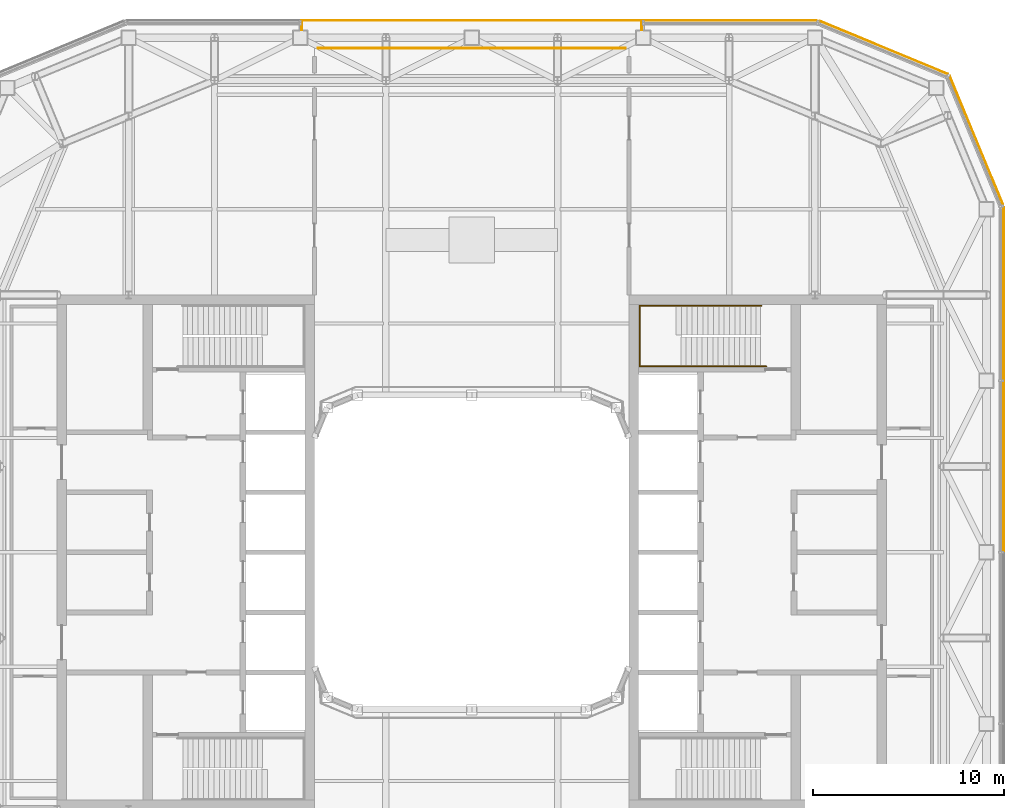
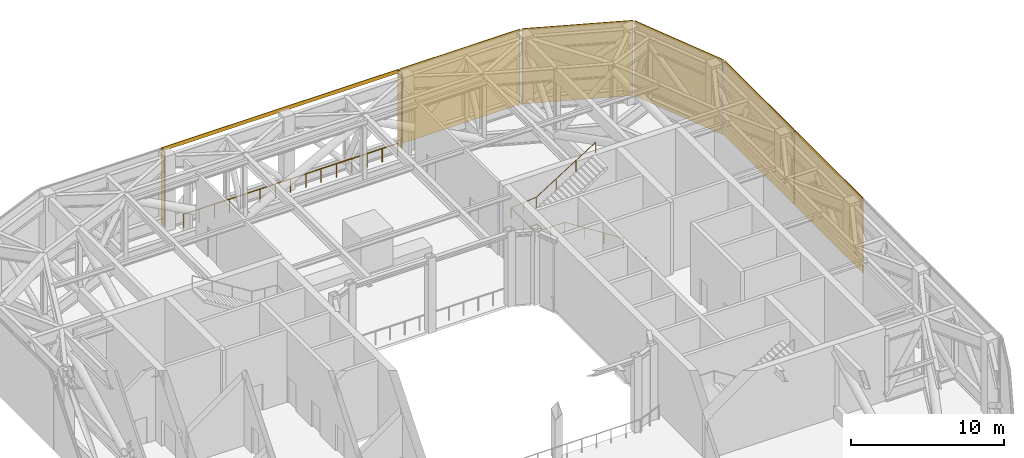
# One storey, part 20 of 21: 8 coverings, 2 railings.
"""IFC4 building model written with IfcOpenShell, lengths in metres."""

import ifcopenshell
import ifcopenshell.guid

model = None  # the IFC model being written
_history = None  # IfcOwnerHistory: only IFC2X3 demands one
_inside = {}  # id of a spatial element -> (the spatial element, [elements in it])
_under = {}  # id of a project, library or spatial element -> (it, [spatial elements below it])
_declared = {}  # id of a project -> (the project, [libraries it declares])
_typed = {}  # id of a type object -> (the type object, [elements of that type])
_made_of = {}  # id of a material, layer set ... -> (it, [elements and type objects made of it])


def new_model(schema):
    """Start an empty IFC model of exactly this schema.

    Asked for "IFC4X3", IfcOpenShell would pick the latest addendum, in which some entities
    have other attributes; the version numbers below select the first issue.
    IFC2X3 requires an IfcOwnerHistory on every rooted entity: one is made here for all.
    """
    global model, _history
    if schema == "IFC4X3":
        model = ifcopenshell.file(schema_version=(4, 3, 0, 0))
    else:
        model = ifcopenshell.file(schema=schema)
    _inside.clear()
    _under.clear()
    _declared.clear()
    _typed.clear()
    _made_of.clear()
    _history = None
    if model.schema == "IFC2X3":
        org = make("IfcOrganization", Name="unknown")
        user = make(
            "IfcPersonAndOrganization",
            ThePerson=make("IfcPerson", FamilyName="unknown"),
            TheOrganization=org,
        )
        app = make(
            "IfcApplication",
            ApplicationDeveloper=org,
            Version="unknown",
            ApplicationFullName="unknown",
            ApplicationIdentifier="unknown",
        )
        _history = make(
            "IfcOwnerHistory",
            OwningUser=user,
            OwningApplication=app,
            ChangeAction="ADDED",
            CreationDate=0,
        )
    return model


def make(cls, **values):
    """One entity of the class cls with the attributes given. An attribute that is None is left unset."""
    return model.create_entity(
        cls, **{name: value for name, value in values.items() if value is not None}
    )


def rooted(cls, **values):
    """An entity with a GlobalId (a new one), such as an element, a storey or a relation."""
    return make(cls, GlobalId=ifcopenshell.guid.new(), OwnerHistory=_history, **values)


def si_unit(unit_type, name, prefix=None):
    """IfcSIUnit, for example si_unit("LENGTHUNIT", "METRE", prefix="MILLI")."""
    return make("IfcSIUnit", UnitType=unit_type, Prefix=prefix, Name=name)


def assignment(units):
    """IfcUnitAssignment: the units of a project."""
    return None if units is None else make("IfcUnitAssignment", Units=units)


def point(xyz):
    """IfcCartesianPoint."""
    return None if xyz is None else make("IfcCartesianPoint", Coordinates=xyz)


def direction(xyz):
    """IfcDirection."""
    return None if xyz is None else make("IfcDirection", DirectionRatios=xyz)


def frame(location, z_axis=None, x_axis=None):
    """IfcAxis2Placement3D, a coordinate frame: its origin and axes. An axis left out is left unset."""
    return make(
        "IfcAxis2Placement3D",
        Location=point(location),
        Axis=direction(z_axis),
        RefDirection=direction(x_axis),
    )


def frame_2d(location, x_axis=None):
    """IfcAxis2Placement2D, a coordinate frame in the plane: its origin and x axis."""
    return make(
        "IfcAxis2Placement2D", Location=point(location), RefDirection=direction(x_axis)
    )


def origin():
    """The frame at (0, 0, 0) with its axes left unset."""
    return frame((0.0, 0.0, 0.0))


def origin_2d():
    """The frame at (0, 0) in the plane with its x axis left unset."""
    return frame_2d((0.0, 0.0))


def place(relative_to, where):
    """IfcLocalPlacement: puts the frame where relative to a parent placement (None: the world)."""
    return make(
        "IfcLocalPlacement", PlacementRelTo=relative_to, RelativePlacement=where
    )


def context(
    kind, dimensions, precision=None, world=None, true_north=None, identifier=None
):
    """IfcGeometricRepresentationContext, for example the 3D "Model" context."""
    return make(
        "IfcGeometricRepresentationContext",
        ContextIdentifier=identifier,
        ContextType=kind,
        CoordinateSpaceDimension=dimensions,
        Precision=precision,
        WorldCoordinateSystem=world,
        TrueNorth=true_north,
    )


def subcontext(parent, identifier, kind, view, scale=None):
    """IfcGeometricRepresentationSubContext, for example "Body" below "Model"."""
    return make(
        "IfcGeometricRepresentationSubContext",
        ContextIdentifier=identifier,
        ContextType=kind,
        ParentContext=parent,
        TargetScale=scale,
        TargetView=view,
    )


def project(units=None, contexts=None):
    """IfcProject with its units and contexts."""
    return rooted(
        "IfcProject",
        Name="project",
        RepresentationContexts=contexts,
        UnitsInContext=assignment(units),
    )


def spatial(cls, under=None, at=None, **own):
    """A site, building, storey or space (cls), placed at a placement, below another one or the project."""
    s = rooted(cls, ObjectPlacement=at, **own)
    if under is not None:
        _under.setdefault(under.id(), (under, []))[1].append(s)
    return s


def profile(cls, at=None, kind="AREA", **sizes):
    """A parametric profile (cls). Its sizes go by their IFC names, for example OverallWidth=200.0."""
    return make(cls, ProfileType=kind, Position=at, **sizes)


def rectangle(**sizes):
    """IfcRectangleProfileDef."""
    return profile("IfcRectangleProfileDef", **sizes)


def circle(**sizes):
    """IfcCircleProfileDef."""
    return profile("IfcCircleProfileDef", **sizes)


def extrude(swept, where, along, depth):
    """IfcExtrudedAreaSolid: the profile swept, set in the frame where, extruded along a direction by depth."""
    return make(
        "IfcExtrudedAreaSolid",
        SweptArea=swept,
        Position=where,
        ExtrudedDirection=direction(along),
        Depth=depth,
    )


def shape(context_of_items, identifier, shape_type, items):
    """IfcShapeRepresentation: the items that make up one representation, for example the "Body"."""
    return make(
        "IfcShapeRepresentation",
        ContextOfItems=context_of_items,
        RepresentationIdentifier=identifier,
        RepresentationType=shape_type,
        Items=items,
    )


def material(Name=None, Category=None):
    """IfcMaterial."""
    return make("IfcMaterial", Name=Name, Category=Category)


def layer(
    of_material, thickness, ventilated=None, Name=None, Category=None, Priority=None
):
    """IfcMaterialLayer: one layer of a wall or slab, of a material (None: an air gap)."""
    return make(
        "IfcMaterialLayer",
        Material=of_material,
        LayerThickness=thickness,
        IsVentilated=ventilated,
        Name=Name,
        Category=Category,
        Priority=Priority,
    )


def layer_set(layers, Name=None):
    """IfcMaterialLayerSet."""
    return make("IfcMaterialLayerSet", MaterialLayers=layers, LayerSetName=Name)


def made_of(thing, what):
    """Note that an element or type object is made of a material, layer set ...; save() writes the relation."""
    if what is not None:
        _made_of.setdefault(what.id(), (what, []))[1].append(thing)
    return thing


def type_object(cls, material=None, **own):
    """A type object (cls), such as IfcWallType, which elements share."""
    return made_of(rooted(cls, **own), material)


def element(
    cls,
    number,
    at=None,
    inside=None,
    cuts=None,
    type_object=None,
    material=None,
    context=None,
    identifier="Body",
    shape_type=None,
    held_by="IfcProductDefinitionShape",
    body=None,
    shapes=None,
    **own,
):
    """One element of the class cls, such as IfcWall. Its Tag is "e" and its number.

    at: its placement. inside: the storey or other place that contains it. cuts: it is an
    opening in that element (IfcRelVoidsElement). A single representation is given by context,
    identifier, shape_type and body (its items); several are given by shapes. held_by: the class
    of the entity that holds the representations. save() writes the other relations.
    """
    e = rooted(cls, Tag="e%d" % number, ObjectPlacement=at, **own)
    if body is not None:
        shapes = [shape(context, identifier, shape_type, body)]
    if shapes is not None:
        e.Representation = make(held_by, Representations=shapes)
    if inside is not None:
        _inside.setdefault(inside.id(), (inside, []))[1].append(e)
    if cuts is not None:
        rooted(
            "IfcRelVoidsElement", RelatingBuildingElement=cuts, RelatedOpeningElement=e
        )
    if type_object is not None:
        _typed.setdefault(type_object.id(), (type_object, []))[1].append(e)
    return made_of(e, material)


def aggregate(whole, parts):
    """IfcRelAggregates: a whole, such as a stair, and the parts it consists of."""
    return rooted("IfcRelAggregates", RelatingObject=whole, RelatedObjects=parts)


def save(model, path):
    """Write the relations noted so far, then the file.

    IfcRelAggregates (storeys below a building ...), IfcRelContainedInSpatialStructure (elements
    in a storey), IfcRelDefinesByType, IfcRelAssociatesMaterial and IfcRelDeclares: one each for
    every whole, place, type object, material and project.
    """
    for whole, parts in _under.values():
        aggregate(whole, parts)
    for where, things in _inside.values():
        rooted(
            "IfcRelContainedInSpatialStructure",
            RelatedElements=things,
            RelatingStructure=where,
        )
    for kind, things in _typed.values():
        rooted("IfcRelDefinesByType", RelatedObjects=things, RelatingType=kind)
    for what, things in _made_of.values():
        rooted("IfcRelAssociatesMaterial", RelatedObjects=things, RelatingMaterial=what)
    for by, libraries in _declared.values():
        rooted("IfcRelDeclares", RelatingContext=by, RelatedDefinitions=libraries)
    model.write(path)


model = new_model("IFC4")

# Units and contexts
model_context = context("Model", 3, precision=1e-05, world=origin(), true_north=direction((0.0, 1.0)))
body_context = subcontext(model_context, "Body", "Model", "MODEL_VIEW")
ifc_project = project(units=[si_unit("LENGTHUNIT", "METRE"), si_unit("AREAUNIT", "SQUARE_METRE"), si_unit("VOLUMEUNIT", "CUBIC_METRE"), si_unit("PLANEANGLEUNIT", "RADIAN"), si_unit("MASSUNIT", "GRAM", prefix="KILO")], contexts=[model_context])

# Site, building, storey
site_placement = place(None, origin())
site = spatial("IfcSite", under=ifc_project, at=site_placement, CompositionType="ELEMENT")
building_placement = place(site_placement, origin())
building = spatial("IfcBuilding", under=site, at=building_placement, Name="Siwar Civic Tower", CompositionType="ELEMENT")
storey_placement = place(building_placement, frame((0.0, 0.0, 278.199951171875)))
storey = spatial("IfcBuildingStorey", under=building, at=storey_placement, Name="L60", CompositionType="ELEMENT", Elevation=278.199951171875)

# Railings
ifc_material_1 = material(Name="Stainless steel", Category="steel")
railing_type_1 = type_object("IfcRailingType", Name="CORE-STAIR-HANDRAIL", PredefinedType="HANDRAIL", material=ifc_material_1)
railing_1_placement = place(storey_placement, frame((15.449951171875, 9.758056640625, 0.176513671875)))
element("IfcRailing", 1, at=railing_1_placement, inside=storey, type_object=railing_type_1, Name="Stair handrail ST3", PredefinedType="HANDRAIL", context=body_context, shape_type="SweptSolid", body=[
    extrude(circle(Radius=0.02001953125, at=origin_2d()), frame((0.0, 0.0, 0.8798828125), z_axis=(-0.843278542751, 0.0, 0.537476789579), x_axis=(0.0, -1.0, 0.0)), (0.0, 0.0, 1.0), 5.253173828125),
    extrude(circle(Radius=0.02001953125, at=origin_2d()), frame((-4.429931640625, 0.0, 3.703369140625), z_axis=(-1.0, 0.0, 0.0), x_axis=(0.0, -1.0, 0.0)), (0.0, 0.0, 1.0), 2.2119140625),
    extrude(circle(Radius=0.02001953125, at=origin_2d()), frame((-6.641845703125, 0.0, 3.703369140625), z_axis=(0.0, 1.0, 0.0), x_axis=(-1.0, 0.0, 0.0)), (0.0, 0.0, 1.0), 3.183837890625),
    extrude(circle(Radius=0.02001953125, at=origin_2d()), frame((-6.641845703125, 3.183837890625, 3.703369140625), z_axis=(0.995765067396, 0.0, 0.091934381781), x_axis=(0.0, 1.0, 0.0)), (0.0, 0.0, 1.0), 1.919921875),
    extrude(circle(Radius=0.02001953125, at=origin_2d()), frame((-4.72998046875, 3.183837890625, 3.8798828125), z_axis=(0.845997938375, 0.0, 0.533186166611), x_axis=(0.0, 1.0, 0.0)), (0.0, 0.0, 1.0), 5.29541015625),
    extrude(circle(Radius=0.02001953125, at=origin_2d()), origin(), (0.0, 0.0, 1.0), 0.85986328125),
    extrude(circle(Radius=0.02001953125, at=origin_2d()), frame((-1.4765625, 0.0, 0.941162109375)), (0.0, 0.0, 1.0), 0.85986328125),
    extrude(circle(Radius=0.02001953125, at=origin_2d()), frame((-2.953369140625, 0.0, 1.88232421875)), (0.0, 0.0, 1.0), 0.85986328125),
    extrude(circle(Radius=0.02001953125, at=origin_2d()), frame((-4.429931640625, 0.0, 2.823486328125)), (0.0, 0.0, 1.0), 0.85986328125),
    extrude(circle(Radius=0.02001953125, at=origin_2d()), frame((-5.535888671875, 0.0, 2.823486328125)), (0.0, 0.0, 1.0), 0.85986328125),
    extrude(circle(Radius=0.02001953125, at=origin_2d()), frame((-6.641845703125, 0.0, 2.823486328125)), (0.0, 0.0, 1.0), 0.85986328125),
    extrude(circle(Radius=0.02001953125, at=origin_2d()), frame((-6.641845703125, 1.591796875, 2.823486328125)), (0.0, 0.0, 1.0), 0.85986328125),
    extrude(circle(Radius=0.02001953125, at=origin_2d()), frame((-6.641845703125, 3.183837890625, 2.823486328125)), (0.0, 0.0, 1.0), 0.85986328125),
    extrude(circle(Radius=0.02001953125, at=origin_2d()), frame((-5.68603515625, 3.183837890625, 2.91162109375)), (0.0, 0.0, 1.0), 0.85986328125),
    extrude(circle(Radius=0.02001953125, at=origin_2d()), frame((-4.72998046875, 3.183837890625, 3.0)), (0.0, 0.0, 1.0), 0.85986328125),
    extrude(circle(Radius=0.02001953125, at=origin_2d()), frame((-3.236572265625, 3.183837890625, 3.941162109375)), (0.0, 0.0, 1.0), 0.85986328125),
    extrude(circle(Radius=0.02001953125, at=origin_2d()), frame((-1.743408203125, 3.183837890625, 4.88232421875)), (0.0, 0.0, 1.0), 0.85986328125),
    extrude(circle(Radius=0.02001953125, at=origin_2d()), frame((-0.25, 3.183837890625, 5.823486328125)), (0.0, 0.0, 1.0), 0.85986328125),
])
ifc_material_2 = material(Name="Stainless steel 316", Category="steel")
railing_type_2 = type_object("IfcRailingType", Name="ENV-GUARD-ROOF", PredefinedType="GUARDRAIL", material=ifc_material_2)
railing_2_placement = place(storey_placement, frame((-8.050048828125, 26.449951171875, 0.0)))
element("IfcRailing", 2, at=railing_2_placement, inside=storey, type_object=railing_type_2, Name="Sky portal guard N outer edge", PredefinedType="GUARDRAIL", context=body_context, shape_type="SweptSolid", body=[
    extrude(circle(Radius=0.02392578125, at=origin_2d()), frame((0.0, 0.0, 1.076171875), z_axis=(1.0, 0.0, 0.0), x_axis=(0.0, 1.0, 0.0)), (0.0, 0.0, 1.0), 16.10009765625),
    extrude(circle(Radius=0.02099609375, at=origin_2d()), origin(), (0.0, 0.0, 1.0), 1.052001953125),
    extrude(circle(Radius=0.02099609375, at=origin_2d()), frame((1.14990234375, 0.0, 0.0)), (0.0, 0.0, 1.0), 1.052001953125),
    extrude(circle(Radius=0.02099609375, at=origin_2d()), frame((2.300048828125, 0.0, 0.0)), (0.0, 0.0, 1.0), 1.052001953125),
    extrude(circle(Radius=0.02099609375, at=origin_2d()), frame((3.449951171875, 0.0, 0.0)), (0.0, 0.0, 1.0), 1.052001953125),
    extrude(circle(Radius=0.02099609375, at=origin_2d()), frame((4.60009765625, 0.0, 0.0)), (0.0, 0.0, 1.0), 1.052001953125),
    extrude(circle(Radius=0.02099609375, at=origin_2d()), frame((5.75, 0.0, 0.0)), (0.0, 0.0, 1.0), 1.052001953125),
    extrude(circle(Radius=0.02099609375, at=origin_2d()), frame((6.900146484375, 0.0, 0.0)), (0.0, 0.0, 1.0), 1.052001953125),
    extrude(circle(Radius=0.02099609375, at=origin_2d()), frame((8.050048828125, 0.0, 0.0)), (0.0, 0.0, 1.0), 1.052001953125),
    extrude(circle(Radius=0.02099609375, at=origin_2d()), frame((9.199951171875, 0.0, 0.0)), (0.0, 0.0, 1.0), 1.052001953125),
    extrude(circle(Radius=0.02099609375, at=origin_2d()), frame((10.35009765625, 0.0, 0.0)), (0.0, 0.0, 1.0), 1.052001953125),
    extrude(circle(Radius=0.02099609375, at=origin_2d()), frame((11.5, 0.0, 0.0)), (0.0, 0.0, 1.0), 1.052001953125),
    extrude(circle(Radius=0.02099609375, at=origin_2d()), frame((12.650146484375, 0.0, 0.0)), (0.0, 0.0, 1.0), 1.052001953125),
    extrude(circle(Radius=0.02099609375, at=origin_2d()), frame((13.800048828125, 0.0, 0.0)), (0.0, 0.0, 1.0), 1.052001953125),
    extrude(circle(Radius=0.02099609375, at=origin_2d()), frame((14.9501953125, 0.0, 0.0)), (0.0, 0.0, 1.0), 1.052001953125),
    extrude(circle(Radius=0.02099609375, at=origin_2d()), frame((16.10009765625, 0.0, 0.0)), (0.0, 0.0, 1.0), 1.052001953125),
])

# Coverings
ifc_material_3 = material(Name="Perforated aluminium cassette, pale metal", Category="aluminium")
ifc_layer_1 = layer(ifc_material_3, 0.0400390625)
ifc_layer_set_1 = layer_set([ifc_layer_1], Name="Perforated aluminium cassette, pale metal")
covering_type_1 = type_object("IfcCoveringType", Name="ENV-OUTER SKIN OS-1", PredefinedType="CLADDING", material=ifc_layer_set_1)
covering_1_placement = place(storey_placement, frame((27.89990234375, 4.5, -0.199951171875), z_axis=(0.0, 0.0, 1.0), x_axis=(0.0, 1.0, 0.0)))
element("IfcCovering", 3, at=covering_1_placement, inside=storey, type_object=covering_type_1, Name="OUTER SKIN OS-1 E 3", PredefinedType="CLADDING", context=body_context, shape_type="SweptSolid", body=[
    extrude(rectangle(XDim=8.89990234375, YDim=0.0400390625, at=origin_2d()), origin(), (0.0, 0.0, 1.0), 6.0),
])
covering_2_placement = place(storey_placement, frame((27.89990234375, 13.57958984375, -0.199951171875), z_axis=(0.0, 0.0, 1.0), x_axis=(0.0, 1.0, 0.0)))
element("IfcCovering", 4, at=covering_2_placement, inside=storey, type_object=covering_type_1, Name="OUTER SKIN OS-1 E 4", PredefinedType="CLADDING", context=body_context, shape_type="SweptSolid", body=[
    extrude(rectangle(XDim=9.05908203125, YDim=0.0400390625, at=origin_2d()), origin(), (0.0, 0.0, 1.0), 6.0),
])
for number, where, z_axis, x_axis, name in (
    (5, (26.476318359375, 21.615966796875, -0.199951171875), (0.0, 0.0, 1.0), (-0.382683432365, 0.923879532511, 0.0), "OUTER SKIN OS-1 NE1 1"),
    (6, (21.615966796875, 26.476318359375, -0.199951171875), (0.0, 0.0, 1.0), (-0.923879532511, 0.382683432365, 0.0), "OUTER SKIN OS-1 NE2 1"),
):
    element("IfcCovering", number, at=place(storey_placement, frame(where, z_axis=z_axis, x_axis=x_axis)), inside=storey, type_object=covering_type_1, Name=name, PredefinedType="CLADDING", context=body_context, shape_type="SweptSolid", body=[
        extrude(rectangle(XDim=7.300048828125, YDim=0.0400390625, at=origin_2d()), origin(), (0.0, 0.0, 1.0), 6.0),
    ])
covering_3_placement = place(storey_placement, frame((13.57958984375, 27.89990234375, -0.199951171875), z_axis=(0.0, 0.0, 1.0), x_axis=(-1.0, 0.0, 0.0)))
element("IfcCovering", 7, at=covering_3_placement, inside=storey, type_object=covering_type_1, Name="OUTER SKIN OS-1 N 1", PredefinedType="CLADDING", context=body_context, shape_type="SweptSolid", body=[
    extrude(rectangle(XDim=9.05908203125, YDim=0.0400390625, at=origin_2d()), origin(), (0.0, 0.0, 1.0), 6.0),
])
ifc_material_4 = material(Name="Perforated aluminium cassette, pale metal", Category="aluminium")
ifc_layer_2 = layer(ifc_material_4, 0.050048828125)
ifc_layer_set_2 = layer_set([ifc_layer_2], Name="Perforated aluminium cassette, pale metal")
covering_type_2 = type_object("IfcCoveringType", Name="ENV-PORTAL FRAME", PredefinedType="CLADDING", material=ifc_layer_set_2)
for number, where, z_axis, x_axis, name in (
    (8, (-8.925048828125, 27.639892578125, -0.199951171875), (0.0, 0.0, 1.0), (1.0, 0.0, 0.0), "PORTAL FRAME return plate N L60"),
    (9, (8.925048828125, 27.639892578125, -0.199951171875), (0.0, 0.0, 1.0), (1.0, 0.0, 0.0), "PORTAL FRAME return plate N L60"),
):
    element("IfcCovering", number, at=place(storey_placement, frame(where, z_axis=z_axis, x_axis=x_axis)), inside=storey, type_object=covering_type_2, Name=name, PredefinedType="CLADDING", context=body_context, shape_type="SweptSolid", body=[
        extrude(rectangle(XDim=0.050048828125, YDim=0.52001953125, at=origin_2d()), origin(), (0.0, 0.0, 1.0), 6.0),
    ])
covering_4_placement = place(storey_placement, frame((0.0, 27.89990234375, 5.5), z_axis=(0.0, 0.0, 1.0), x_axis=(1.0, 0.0, 0.0)))
element("IfcCovering", 10, at=covering_4_placement, inside=storey, type_object=covering_type_2, Name="PORTAL FRAME lintel N L60", PredefinedType="CLADDING", context=body_context, shape_type="SweptSolid", body=[
    extrude(rectangle(XDim=17.89990234375, YDim=0.050048828125, at=origin_2d()), origin(), (0.0, 0.0, 1.0), 0.300048828125),
])

save(model, "model.ifc")
